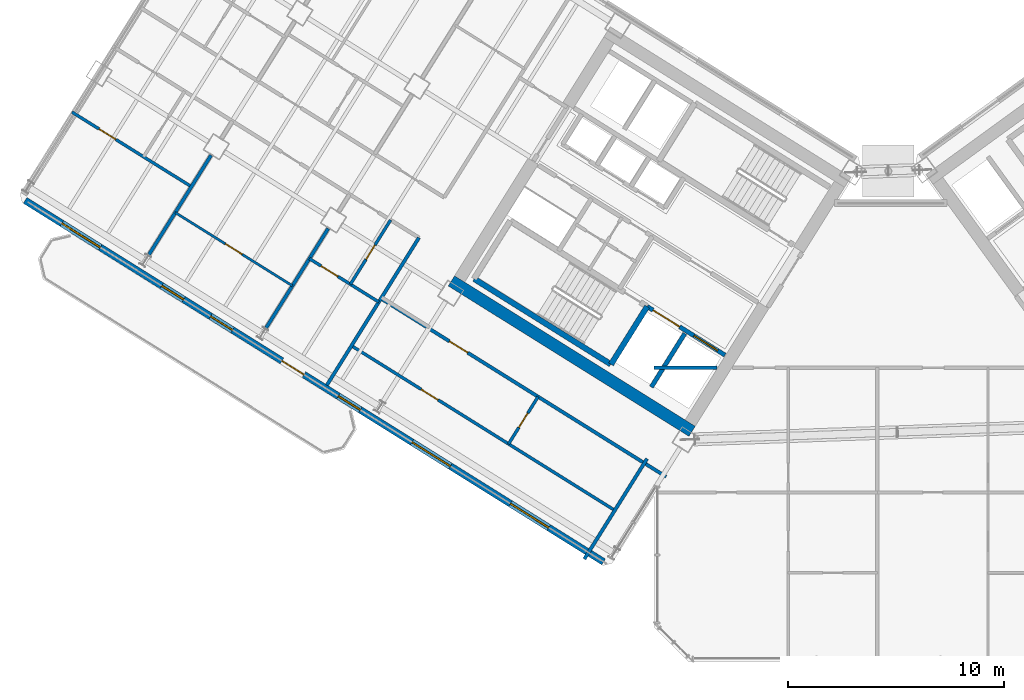
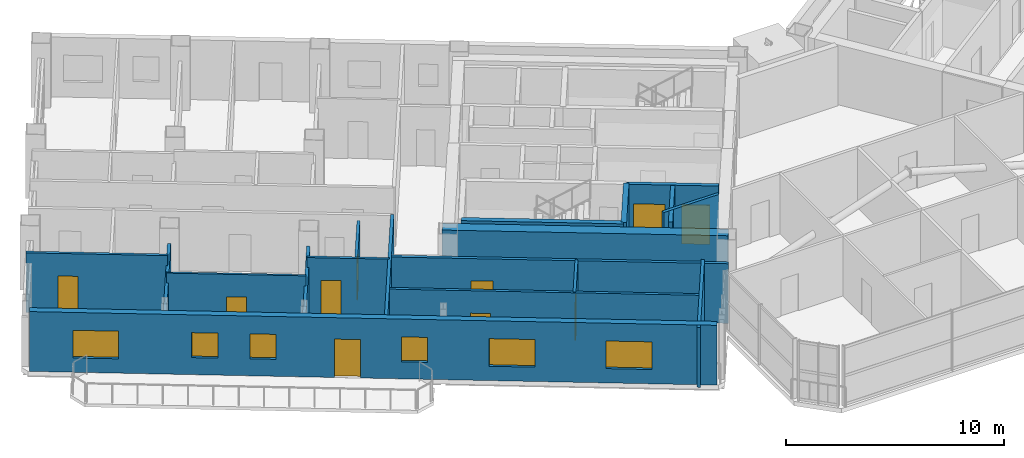
# One storey, part 16 of 29: 18 walls, 10 doors, 6 windows, 16 openings.
"""IFC4 building model written with IfcOpenShell, lengths in metres."""

import ifcopenshell
import ifcopenshell.guid

model = None  # the IFC model being written
_history = None  # IfcOwnerHistory: only IFC2X3 demands one
_inside = {}  # id of a spatial element -> (the spatial element, [elements in it])
_under = {}  # id of a project, library or spatial element -> (it, [spatial elements below it])
_declared = {}  # id of a project -> (the project, [libraries it declares])
_typed = {}  # id of a type object -> (the type object, [elements of that type])
_made_of = {}  # id of a material, layer set ... -> (it, [elements and type objects made of it])


def new_model(schema):
    """Start an empty IFC model of exactly this schema.

    Asked for "IFC4X3", IfcOpenShell would pick the latest addendum, in which some entities
    have other attributes; the version numbers below select the first issue.
    IFC2X3 requires an IfcOwnerHistory on every rooted entity: one is made here for all.
    """
    global model, _history
    if schema == "IFC4X3":
        model = ifcopenshell.file(schema_version=(4, 3, 0, 0))
    else:
        model = ifcopenshell.file(schema=schema)
    _inside.clear()
    _under.clear()
    _declared.clear()
    _typed.clear()
    _made_of.clear()
    _history = None
    if model.schema == "IFC2X3":
        org = make("IfcOrganization", Name="unknown")
        user = make(
            "IfcPersonAndOrganization",
            ThePerson=make("IfcPerson", FamilyName="unknown"),
            TheOrganization=org,
        )
        app = make(
            "IfcApplication",
            ApplicationDeveloper=org,
            Version="unknown",
            ApplicationFullName="unknown",
            ApplicationIdentifier="unknown",
        )
        _history = make(
            "IfcOwnerHistory",
            OwningUser=user,
            OwningApplication=app,
            ChangeAction="ADDED",
            CreationDate=0,
        )
    return model


def make(cls, **values):
    """One entity of the class cls with the attributes given. An attribute that is None is left unset."""
    return model.create_entity(
        cls, **{name: value for name, value in values.items() if value is not None}
    )


def rooted(cls, **values):
    """An entity with a GlobalId (a new one), such as an element, a storey or a relation."""
    return make(cls, GlobalId=ifcopenshell.guid.new(), OwnerHistory=_history, **values)


def si_unit(unit_type, name, prefix=None):
    """IfcSIUnit, for example si_unit("LENGTHUNIT", "METRE", prefix="MILLI")."""
    return make("IfcSIUnit", UnitType=unit_type, Prefix=prefix, Name=name)


def assignment(units):
    """IfcUnitAssignment: the units of a project."""
    return None if units is None else make("IfcUnitAssignment", Units=units)


def point(xyz):
    """IfcCartesianPoint."""
    return None if xyz is None else make("IfcCartesianPoint", Coordinates=xyz)


def direction(xyz):
    """IfcDirection."""
    return None if xyz is None else make("IfcDirection", DirectionRatios=xyz)


def frame(location, z_axis=None, x_axis=None):
    """IfcAxis2Placement3D, a coordinate frame: its origin and axes. An axis left out is left unset."""
    return make(
        "IfcAxis2Placement3D",
        Location=point(location),
        Axis=direction(z_axis),
        RefDirection=direction(x_axis),
    )


def frame_2d(location, x_axis=None):
    """IfcAxis2Placement2D, a coordinate frame in the plane: its origin and x axis."""
    return make(
        "IfcAxis2Placement2D", Location=point(location), RefDirection=direction(x_axis)
    )


def origin():
    """The frame at (0, 0, 0) with its axes left unset."""
    return frame((0.0, 0.0, 0.0))


def place(relative_to, where):
    """IfcLocalPlacement: puts the frame where relative to a parent placement (None: the world)."""
    return make(
        "IfcLocalPlacement", PlacementRelTo=relative_to, RelativePlacement=where
    )


def context(
    kind, dimensions, precision=None, world=None, true_north=None, identifier=None
):
    """IfcGeometricRepresentationContext, for example the 3D "Model" context."""
    return make(
        "IfcGeometricRepresentationContext",
        ContextIdentifier=identifier,
        ContextType=kind,
        CoordinateSpaceDimension=dimensions,
        Precision=precision,
        WorldCoordinateSystem=world,
        TrueNorth=true_north,
    )


def subcontext(parent, identifier, kind, view, scale=None):
    """IfcGeometricRepresentationSubContext, for example "Body" below "Model"."""
    return make(
        "IfcGeometricRepresentationSubContext",
        ContextIdentifier=identifier,
        ContextType=kind,
        ParentContext=parent,
        TargetScale=scale,
        TargetView=view,
    )


def project(units=None, contexts=None):
    """IfcProject with its units and contexts."""
    return rooted(
        "IfcProject",
        Name="project",
        RepresentationContexts=contexts,
        UnitsInContext=assignment(units),
    )


def spatial(cls, under=None, at=None, **own):
    """A site, building, storey or space (cls), placed at a placement, below another one or the project."""
    s = rooted(cls, ObjectPlacement=at, **own)
    if under is not None:
        _under.setdefault(under.id(), (under, []))[1].append(s)
    return s


def profile(cls, at=None, kind="AREA", **sizes):
    """A parametric profile (cls). Its sizes go by their IFC names, for example OverallWidth=200.0."""
    return make(cls, ProfileType=kind, Position=at, **sizes)


def rectangle(**sizes):
    """IfcRectangleProfileDef."""
    return profile("IfcRectangleProfileDef", **sizes)


def extrude(swept, where, along, depth):
    """IfcExtrudedAreaSolid: the profile swept, set in the frame where, extruded along a direction by depth."""
    return make(
        "IfcExtrudedAreaSolid",
        SweptArea=swept,
        Position=where,
        ExtrudedDirection=direction(along),
        Depth=depth,
    )


def shape(context_of_items, identifier, shape_type, items):
    """IfcShapeRepresentation: the items that make up one representation, for example the "Body"."""
    return make(
        "IfcShapeRepresentation",
        ContextOfItems=context_of_items,
        RepresentationIdentifier=identifier,
        RepresentationType=shape_type,
        Items=items,
    )


def source(mapping_origin, context_of_items, identifier, shape_type, items):
    """IfcRepresentationMap: a shape defined once, which mapped items show again and again."""
    return make(
        "IfcRepresentationMap",
        MappingOrigin=mapping_origin,
        MappedRepresentation=shape(context_of_items, identifier, shape_type, items),
    )


def transform(
    local_origin,
    x_axis=None,
    y_axis=None,
    z_axis=None,
    scale=None,
    scale2=None,
    scale3=None,
    uniform=True,
):
    """IfcCartesianTransformationOperator3D, or its non-uniform kind. x_axis, y_axis, z_axis: its Axis1, 2, 3."""
    if uniform:
        return make(
            "IfcCartesianTransformationOperator3D",
            Axis1=direction(x_axis),
            Axis2=direction(y_axis),
            LocalOrigin=point(local_origin),
            Scale=scale,
            Axis3=direction(z_axis),
        )
    return make(
        "IfcCartesianTransformationOperator3DnonUniform",
        Axis1=direction(x_axis),
        Axis2=direction(y_axis),
        LocalOrigin=point(local_origin),
        Scale=scale,
        Axis3=direction(z_axis),
        Scale2=scale2,
        Scale3=scale3,
    )


def mapped(mapping_source, mapping_target):
    """IfcMappedItem: shows the shape of a source again, moved by a transform."""
    return make(
        "IfcMappedItem", MappingSource=mapping_source, MappingTarget=mapping_target
    )


def material(Name=None, Category=None):
    """IfcMaterial."""
    return make("IfcMaterial", Name=Name, Category=Category)


def layer(
    of_material, thickness, ventilated=None, Name=None, Category=None, Priority=None
):
    """IfcMaterialLayer: one layer of a wall or slab, of a material (None: an air gap)."""
    return make(
        "IfcMaterialLayer",
        Material=of_material,
        LayerThickness=thickness,
        IsVentilated=ventilated,
        Name=Name,
        Category=Category,
        Priority=Priority,
    )


def layer_set(layers, Name=None):
    """IfcMaterialLayerSet."""
    return make("IfcMaterialLayerSet", MaterialLayers=layers, LayerSetName=Name)


def made_of(thing, what):
    """Note that an element or type object is made of a material, layer set ...; save() writes the relation."""
    if what is not None:
        _made_of.setdefault(what.id(), (what, []))[1].append(thing)
    return thing


def type_object(cls, material=None, **own):
    """A type object (cls), such as IfcWallType, which elements share."""
    return made_of(rooted(cls, **own), material)


def element(
    cls,
    number,
    at=None,
    inside=None,
    cuts=None,
    type_object=None,
    material=None,
    context=None,
    identifier="Body",
    shape_type=None,
    held_by="IfcProductDefinitionShape",
    body=None,
    shapes=None,
    **own,
):
    """One element of the class cls, such as IfcWall. Its Tag is "e" and its number.

    at: its placement. inside: the storey or other place that contains it. cuts: it is an
    opening in that element (IfcRelVoidsElement). A single representation is given by context,
    identifier, shape_type and body (its items); several are given by shapes. held_by: the class
    of the entity that holds the representations. save() writes the other relations.
    """
    e = rooted(cls, Tag="e%d" % number, ObjectPlacement=at, **own)
    if body is not None:
        shapes = [shape(context, identifier, shape_type, body)]
    if shapes is not None:
        e.Representation = make(held_by, Representations=shapes)
    if inside is not None:
        _inside.setdefault(inside.id(), (inside, []))[1].append(e)
    if cuts is not None:
        rooted(
            "IfcRelVoidsElement", RelatingBuildingElement=cuts, RelatedOpeningElement=e
        )
    if type_object is not None:
        _typed.setdefault(type_object.id(), (type_object, []))[1].append(e)
    return made_of(e, material)


def fill(opening, filler):
    """IfcRelFillsElement: the door or window that sits in an opening."""
    return rooted(
        "IfcRelFillsElement",
        RelatingOpeningElement=opening,
        RelatedBuildingElement=filler,
    )


def aggregate(whole, parts):
    """IfcRelAggregates: a whole, such as a stair, and the parts it consists of."""
    return rooted("IfcRelAggregates", RelatingObject=whole, RelatedObjects=parts)


def save(model, path):
    """Write the relations noted so far, then the file.

    IfcRelAggregates (storeys below a building ...), IfcRelContainedInSpatialStructure (elements
    in a storey), IfcRelDefinesByType, IfcRelAssociatesMaterial and IfcRelDeclares: one each for
    every whole, place, type object, material and project.
    """
    for whole, parts in _under.values():
        aggregate(whole, parts)
    for where, things in _inside.values():
        rooted(
            "IfcRelContainedInSpatialStructure",
            RelatedElements=things,
            RelatingStructure=where,
        )
    for kind, things in _typed.values():
        rooted("IfcRelDefinesByType", RelatedObjects=things, RelatingType=kind)
    for what, things in _made_of.values():
        rooted("IfcRelAssociatesMaterial", RelatedObjects=things, RelatingMaterial=what)
    for by, libraries in _declared.values():
        rooted("IfcRelDeclares", RelatingContext=by, RelatedDefinitions=libraries)
    model.write(path)


model = new_model("IFC4")

# Units and contexts
model_context = context("Model", 3, precision=1e-05, world=origin(), true_north=direction((0.0, 1.0)))
body_context = subcontext(model_context, "Body", "Model", "MODEL_VIEW")
ifc_project = project(units=[si_unit("LENGTHUNIT", "METRE"), si_unit("AREAUNIT", "SQUARE_METRE"), si_unit("VOLUMEUNIT", "CUBIC_METRE"), si_unit("PLANEANGLEUNIT", "RADIAN"), si_unit("MASSUNIT", "GRAM", prefix="KILO")], contexts=[model_context])

# Site, building, storey
site_placement = place(None, origin())
site = spatial("IfcSite", under=ifc_project, at=site_placement, CompositionType="ELEMENT")
building_placement = place(site_placement, origin())
building = spatial("IfcBuilding", under=site, at=building_placement, Name="Tlacorven Tower", CompositionType="ELEMENT")
storey_placement = place(building_placement, frame((0.0, 0.0, 151.5)))
storey = spatial("IfcBuildingStorey", under=building, at=storey_placement, Name="L38", CompositionType="ELEMENT", Elevation=151.5)

# Walls
ifc_material_1 = material(Name="Concrete C60/75", Category="concrete")
ifc_layer_1 = layer(ifc_material_1, 0.550048828125)
ifc_layer_set_1 = layer_set([ifc_layer_1], Name="Concrete C60/75")
wall_type_1 = type_object("IfcWallType", Name="WL-COR-550", PredefinedType="SHEAR", material=ifc_layer_set_1)
wall_1_placement = place(storey_placement, frame((33.3662109375, 12.4765625, 0.0), z_axis=(0.0, 0.0, 1.0), x_axis=(-0.848047359947, 0.529920442413, 0.0)))
element("IfcWall", 1, at=wall_1_placement, inside=storey, type_object=wall_type_1, Name="L38 W core shear wall S2", PredefinedType="SHEAR", context=body_context, shape_type="SweptSolid", body=[
    extrude(rectangle(XDim=13.139892578125, YDim=0.550048828125, at=frame_2d((6.56982421875, 0.0))), origin(), (0.0, 0.0, 1.0), 3.35009765625),
])
ifc_material_2 = material(Name="Gypsum plasterboard acoustic partition", Category="gypsum")
ifc_layer_2 = layer(ifc_material_2, 0.159912109375)
ifc_layer_set_2 = layer_set([ifc_layer_2], Name="Gypsum plasterboard acoustic partition")
wall_type_2 = type_object("IfcWallType", Name="WL-DEM-160", PredefinedType="PARTITIONING", material=ifc_layer_set_2)
wall_2_placement = place(storey_placement, frame((20.719482421875, 21.440185546875, 0.0), z_axis=(0.0, 0.0, 1.0), x_axis=(-0.529906246318, -0.848056230514, 0.0)))
element("IfcWall", 2, at=wall_2_placement, inside=storey, type_object=wall_type_2, Name="L38 partition 48", PredefinedType="PARTITIONING", context=body_context, shape_type="SweptSolid", body=[
    extrude(rectangle(XDim=8.0498046875, YDim=0.159912109375, at=frame_2d((4.02490234375, 0.0))), origin(), (0.0, 0.0, 1.0), 3.340087890625),
])
wall_3_placement = place(storey_placement, frame((16.518798828125, 21.86962890625, 0.0), z_axis=(0.0, 0.0, 1.0), x_axis=(-0.529922447305, -0.848046107144, 0.0)))
element("IfcWall", 3, at=wall_3_placement, inside=storey, type_object=wall_type_2, Name="L38 WN Demising Wall 1", PredefinedType="PARTITIONING", context=body_context, shape_type="SweptSolid", body=[
    extrude(rectangle(XDim=5.451171875, YDim=0.159912109375, at=frame_2d((2.7255859375, 0.0))), origin(), (0.0, 0.0, 1.0), 2.77490234375),
])
wall_4_placement = place(storey_placement, frame((11.09130859375, 25.260986328125, 0.0), z_axis=(0.0, 0.0, 1.0), x_axis=(-0.52994257524, -0.848033529377, 0.0)))
element("IfcWall", 4, at=wall_4_placement, inside=storey, type_object=wall_type_2, Name="L38 WN Demising Wall 2", PredefinedType="PARTITIONING", context=body_context, shape_type="SweptSolid", body=[
    extrude(rectangle(XDim=5.450927734375, YDim=0.159912109375, at=frame_2d((2.7255859375, 0.0))), origin(), (0.0, 0.0, 1.0), 2.77490234375),
])

# Wall, opening, door
wall_5_placement = place(storey_placement, frame((32.164306640625, 10.373779296875, 0.0), z_axis=(0.0, 0.0, 1.0), x_axis=(-0.848044107957, 0.529925646633, 0.0)))
wall_5 = element("IfcWall", 5, at=wall_5_placement, inside=storey, type_object=wall_type_2, Name="L38 partition 69", PredefinedType="PARTITIONING", context=body_context, shape_type="SweptSolid", body=[
    extrude(rectangle(XDim=15.570068359375, YDim=0.159912109375, at=frame_2d((7.78515625, 0.0))), origin(), (0.0, 0.0, 1.0), 3.340087890625),
])
opening_1_placement = place(wall_5_placement, frame((10.830078125, 0.0, 0.0)))
opening_1 = element("IfcOpeningElement", 6, at=opening_1_placement, cuts=wall_5, Name="Opening D11", PredefinedType="OPENING", context=body_context, shape_type="SweptSolid", body=[
    extrude(rectangle(XDim=1.0, YDim=2.10009765625, at=frame_2d((0.5, 1.050048828125))), frame((0.0, 0.08984375, 0.0), z_axis=(0.0, -1.0, 0.0), x_axis=(1.0, 0.0, 0.0)), (0.0, 0.0, 1.0), 0.179931640625),
])
ifc_material_3 = material(Name="Fire-rated steel door assembly", Category="steel")
door_type_1 = type_object("IfcDoorType", Name="DR-FLT-FD60-1000", OperationType="NOTDEFINED", PredefinedType="DOOR", material=ifc_material_3)
shared_shape_1 = source(origin(), body_context, "Body", "SweptSolid", [
    extrude(rectangle(XDim=1.0, YDim=2.10009765625, at=frame_2d((0.5, 1.050048828125))), frame((0.0, 0.02490234375, 0.0), z_axis=(0.0, -1.0, 0.0), x_axis=(1.0, 0.0, 0.0)), (0.0, 0.0, 1.0), 0.050048828125),
])
door_1_placement = place(opening_1_placement, origin())
door_1 = element("IfcDoor", 7, at=door_1_placement, inside=storey, type_object=door_type_1, Name="L38 door 043", OperationType="SINGLE_SWING_RIGHT", OverallHeight=2.10009765625, OverallWidth=1.0, PredefinedType="DOOR", context=body_context, shape_type="MappedRepresentation", body=[
    mapped(shared_shape_1, transform((0.0, 0.0, 0.0), scale=1.0)),
])
fill(opening_1, door_1)

# Walls
wall_6_placement = place(storey_placement, frame((31.282470703125, 11.2080078125, 0.0), z_axis=(0.0, 0.0, 1.0), x_axis=(-0.529938869374, -0.84803584519, 0.0)))
element("IfcWall", 8, at=wall_6_placement, inside=storey, type_object=wall_type_2, Name="L38 WC West Throat Wall", PredefinedType="PARTITIONING", context=body_context, shape_type="SweptSolid", body=[
    extrude(rectangle(XDim=5.47998046875, YDim=0.159912109375, at=frame_2d((2.739990234375, 0.0))), origin(), (0.0, 0.0, 1.0), 3.340087890625),
])
wall_7_placement = place(storey_placement, frame((31.60009765625, 15.419921875, 0.0), z_axis=(0.0, 0.0, 1.0), x_axis=(1.0, 0.0, 0.0)))
element("IfcWall", 9, at=wall_7_placement, inside=storey, type_object=wall_type_2, Name="L38 Knuckle Corridor South Wall", PredefinedType="PARTITIONING", context=body_context, shape_type="SweptSolid", body=[
    extrude(rectangle(XDim=2.925048828125, YDim=0.159912109375, at=frame_2d((1.46240234375, 0.0))), origin(), (0.0, 0.0, 1.0), 3.340087890625),
])

# Wall, openings, door, windows
ifc_material_4 = material(Name="Precast concrete C45/55", Category="concrete")
ifc_layer_3 = layer(ifc_material_4, 0.320068359375)
ifc_layer_set_3 = layer_set([ifc_layer_3], Name="Precast concrete C45/55")
wall_type_3 = type_object("IfcWallType", Name="WL-EXT-320", PredefinedType="STANDARD", material=ifc_layer_set_3)
wall_8_placement = place(storey_placement, frame((29.267822265625, 6.429443359375, 0.0), z_axis=(0.0, 0.0, 1.0), x_axis=(-0.848049971435, 0.529916263149, 0.0)))
wall_8 = element("IfcWall", 10, at=wall_8_placement, inside=storey, type_object=wall_type_3, Name="L38 Masonry-Frame Recessed Facade Wall 1", PredefinedType="STANDARD", context=body_context, shape_type="SweptSolid", body=[
    extrude(rectangle(XDim=31.587646484375, YDim=0.320068359375, at=frame_2d((15.7939453125, 0.0))), origin(), (0.0, 0.0, 1.0), 3.35009765625),
])
opening_2_placement = place(wall_8_placement, frame((16.36181640625, 0.0, 0.0)))
opening_2 = element("IfcOpeningElement", 11, at=opening_2_placement, cuts=wall_8, Name="Opening D05", PredefinedType="OPENING", context=body_context, shape_type="SweptSolid", body=[
    extrude(rectangle(XDim=1.199951171875, YDim=2.14990234375, at=frame_2d((0.60009765625, 1.074951171875))), frame((0.0, 0.169921875, 0.0), z_axis=(0.0, -1.0, 0.0), x_axis=(1.0, 0.0, 0.0)), (0.0, 0.0, 1.0), 0.340087890625),
])
opening_3_placement = place(wall_8_placement, frame((2.98876953125, 0.0, 0.800048828125)))
opening_3 = element("IfcOpeningElement", 12, at=opening_3_placement, cuts=wall_8, Name="Opening WN04", PredefinedType="OPENING", context=body_context, shape_type="SweptSolid", body=[
    extrude(rectangle(XDim=2.10009765625, YDim=1.550048828125, at=frame_2d((1.050048828125, 0.77490234375))), frame((0.0, 0.169921875, 0.0), z_axis=(0.0, -1.0, 0.0), x_axis=(1.0, 0.0, 0.0)), (0.0, 0.0, 1.0), 0.340087890625),
])
opening_4_placement = place(wall_8_placement, frame((8.358642578125, 0.0, 0.800048828125)))
opening_4 = element("IfcOpeningElement", 13, at=opening_4_placement, cuts=wall_8, Name="Opening WN04", PredefinedType="OPENING", context=body_context, shape_type="SweptSolid", body=[
    extrude(rectangle(XDim=2.10009765625, YDim=1.550048828125, at=frame_2d((1.050048828125, 0.77490234375))), frame((0.0, 0.169921875, 0.0), z_axis=(0.0, -1.0, 0.0), x_axis=(1.0, 0.0, 0.0)), (0.0, 0.0, 1.0), 0.340087890625),
])
opening_5_placement = place(wall_8_placement, frame((13.28369140625, 0.0, 0.949951171875)))
opening_5 = element("IfcOpeningElement", 14, at=opening_5_placement, cuts=wall_8, Name="Opening WN03", PredefinedType="OPENING", context=body_context, shape_type="SweptSolid", body=[
    extrude(rectangle(XDim=1.199951171875, YDim=1.39990234375, at=frame_2d((0.60009765625, 0.699951171875))), frame((0.0, 0.169921875, 0.0), z_axis=(0.0, -1.0, 0.0), x_axis=(1.0, 0.0, 0.0)), (0.0, 0.0, 1.0), 0.340087890625),
])
opening_6_placement = place(wall_8_placement, frame((20.2587890625, 0.0, 0.949951171875)))
opening_6 = element("IfcOpeningElement", 15, at=opening_6_placement, cuts=wall_8, Name="Opening WN03", PredefinedType="OPENING", context=body_context, shape_type="SweptSolid", body=[
    extrude(rectangle(XDim=1.199951171875, YDim=1.39990234375, at=frame_2d((0.60009765625, 0.699951171875))), frame((0.0, 0.169921875, 0.0), z_axis=(0.0, -1.0, 0.0), x_axis=(1.0, 0.0, 0.0)), (0.0, 0.0, 1.0), 0.340087890625),
])
opening_7_placement = place(wall_8_placement, frame((22.9287109375, 0.0, 0.949951171875)))
opening_7 = element("IfcOpeningElement", 16, at=opening_7_placement, cuts=wall_8, Name="Opening WN03", PredefinedType="OPENING", context=body_context, shape_type="SweptSolid", body=[
    extrude(rectangle(XDim=1.199951171875, YDim=1.39990234375, at=frame_2d((0.60009765625, 0.699951171875))), frame((0.0, 0.169921875, 0.0), z_axis=(0.0, -1.0, 0.0), x_axis=(1.0, 0.0, 0.0)), (0.0, 0.0, 1.0), 0.340087890625),
])
opening_8_placement = place(wall_8_placement, frame((27.480712890625, 0.0, 0.800048828125)))
opening_8 = element("IfcOpeningElement", 17, at=opening_8_placement, cuts=wall_8, Name="Opening WN04", PredefinedType="OPENING", context=body_context, shape_type="SweptSolid", body=[
    extrude(rectangle(XDim=2.10009765625, YDim=1.550048828125, at=frame_2d((1.050048828125, 0.77490234375))), frame((0.0, 0.169921875, 0.0), z_axis=(0.0, -1.0, 0.0), x_axis=(1.0, 0.0, 0.0)), (0.0, 0.0, 1.0), 0.340087890625),
])
ifc_material_5 = material(Name="Powder-coated aluminium and timber door", Category="wood")
door_type_2 = type_object("IfcDoorType", Name="DR-EXT-BALC-1200", OperationType="NOTDEFINED", PredefinedType="DOOR", material=ifc_material_5)
shared_shape_2 = source(origin(), body_context, "Body", "SweptSolid", [
    extrude(rectangle(XDim=1.199951171875, YDim=2.14990234375, at=frame_2d((0.60009765625, 1.074951171875))), frame((0.0, 0.02490234375, 0.0), z_axis=(0.0, -1.0, 0.0), x_axis=(1.0, 0.0, 0.0)), (0.0, 0.0, 1.0), 0.050048828125),
])
door_2_placement = place(opening_2_placement, origin())
door_2 = element("IfcDoor", 18, at=door_2_placement, inside=storey, type_object=door_type_2, Name="L38 Outdoor Access Door BAL-L38-W-OUT", OperationType="SINGLE_SWING_LEFT", OverallHeight=2.14990234375, OverallWidth=1.199951171875, PredefinedType="DOOR", context=body_context, shape_type="MappedRepresentation", body=[
    mapped(shared_shape_2, transform((0.0, 0.0, 0.0), scale=1.0)),
])
fill(opening_2, door_2)
ifc_material_6 = material(Name="Dark solar low-E double glazing in anodised aluminium frame", Category="aluminium")
window_type_1 = type_object("IfcWindowType", Name="WN-APT-2100X1750", PartitioningType="SINGLE_PANEL", PredefinedType="WINDOW", material=ifc_material_6)
shared_shape_3 = source(origin(), body_context, "Body", "SweptSolid", [
    extrude(rectangle(XDim=2.10009765625, YDim=1.550048828125, at=frame_2d((1.050048828125, 0.77490234375))), frame((0.0, 0.030029296875, 0.0), z_axis=(0.0, -1.0, 0.0), x_axis=(1.0, 0.0, 0.0)), (0.0, 0.0, 1.0), 0.06005859375),
])
window_1_placement = place(opening_3_placement, origin())
window_1 = element("IfcWindow", 19, at=window_1_placement, inside=storey, type_object=window_type_1, Name="L38 Recessed Masonry-Frame Window L38-01.1", OverallHeight=1.550048828125, OverallWidth=2.10009765625, PartitioningType="SINGLE_PANEL", PredefinedType="WINDOW", context=body_context, shape_type="MappedRepresentation", body=[
    mapped(shared_shape_3, transform((0.0, 0.0, 0.0), scale=1.0)),
])
fill(opening_3, window_1)
window_2_placement = place(opening_4_placement, origin())
window_2 = element("IfcWindow", 20, at=window_2_placement, inside=storey, type_object=window_type_1, Name="L38 Recessed Masonry-Frame Window L38-01.2", OverallHeight=1.550048828125, OverallWidth=2.10009765625, PartitioningType="SINGLE_PANEL", PredefinedType="WINDOW", context=body_context, shape_type="MappedRepresentation", body=[
    mapped(shared_shape_3, transform((0.0, 0.0, 0.0), scale=1.0)),
])
fill(opening_4, window_2)
window_3_placement = place(opening_8_placement, origin())
window_3 = element("IfcWindow", 21, at=window_3_placement, inside=storey, type_object=window_type_1, Name="L38 Recessed Masonry-Frame Window L38-01.6", OverallHeight=1.550048828125, OverallWidth=2.10009765625, PartitioningType="SINGLE_PANEL", PredefinedType="WINDOW", context=body_context, shape_type="MappedRepresentation", body=[
    mapped(shared_shape_3, transform((0.0, 0.0, 0.0), scale=1.0)),
])
fill(opening_8, window_3)
window_type_2 = type_object("IfcWindowType", Name="WN-APT-1200X1500", PartitioningType="SINGLE_PANEL", PredefinedType="WINDOW", material=ifc_material_6)
shared_shape_4 = source(origin(), body_context, "Body", "SweptSolid", [
    extrude(rectangle(XDim=1.199951171875, YDim=1.39990234375, at=frame_2d((0.60009765625, 0.699951171875))), frame((0.0, 0.030029296875, 0.0), z_axis=(0.0, -1.0, 0.0), x_axis=(1.0, 0.0, 0.0)), (0.0, 0.0, 1.0), 0.06005859375),
])
window_4_placement = place(opening_5_placement, origin())
window_4 = element("IfcWindow", 22, at=window_4_placement, inside=storey, type_object=window_type_2, Name="L38 Recessed Masonry-Frame Window L38-01.3", OverallHeight=1.39990234375, OverallWidth=1.199951171875, PartitioningType="SINGLE_PANEL", PredefinedType="WINDOW", context=body_context, shape_type="MappedRepresentation", body=[
    mapped(shared_shape_4, transform((0.0, 0.0, 0.0), scale=1.0)),
])
fill(opening_5, window_4)
window_5_placement = place(opening_6_placement, origin())
window_5 = element("IfcWindow", 23, at=window_5_placement, inside=storey, type_object=window_type_2, Name="L38 Recessed Masonry-Frame Window L38-01.4", OverallHeight=1.39990234375, OverallWidth=1.199951171875, PartitioningType="SINGLE_PANEL", PredefinedType="WINDOW", context=body_context, shape_type="MappedRepresentation", body=[
    mapped(shared_shape_4, transform((0.0, 0.0, 0.0), scale=1.0)),
])
fill(opening_6, window_5)
window_6_placement = place(opening_7_placement, origin())
window_6 = element("IfcWindow", 24, at=window_6_placement, inside=storey, type_object=window_type_2, Name="L38 Recessed Masonry-Frame Window L38-01.5", OverallHeight=1.39990234375, OverallWidth=1.199951171875, PartitioningType="SINGLE_PANEL", PredefinedType="WINDOW", context=body_context, shape_type="MappedRepresentation", body=[
    mapped(shared_shape_4, transform((0.0, 0.0, 0.0), scale=1.0)),
])
fill(opening_7, window_6)

# Wall, opening, door
ifc_material_7 = material(Name="Gypsum plasterboard partition", Category="gypsum")
ifc_layer_4 = layer(ifc_material_7, 0.110107421875)
ifc_layer_set_4 = layer_set([ifc_layer_4], Name="Gypsum plasterboard partition")
wall_type_4 = type_object("IfcWallType", Name="WL-INT-110", PredefinedType="PARTITIONING", material=ifc_layer_set_4)
wall_9_placement = place(storey_placement, frame((14.860107421875, 19.215087890625, 0.0), z_axis=(0.0, 0.0, 1.0), x_axis=(-0.848039019877, 0.529933789039, 0.0)))
wall_9 = element("IfcWall", 25, at=wall_9_placement, inside=storey, type_object=wall_type_4, Name="L38 partition 56", PredefinedType="PARTITIONING", context=body_context, shape_type="SweptSolid", body=[
    extrude(rectangle(XDim=6.400146484375, YDim=0.110107421875, at=frame_2d((3.2001953125, 0.0))), origin(), (0.0, 0.0, 1.0), 3.340087890625),
])
opening_9_placement = place(wall_9_placement, frame((2.739990234375, 0.0, 0.0)))
opening_9 = element("IfcOpeningElement", 26, at=opening_9_placement, cuts=wall_9, Name="Opening D12", PredefinedType="OPENING", context=body_context, shape_type="SweptSolid", body=[
    extrude(rectangle(XDim=0.919921875, YDim=2.080078125, at=frame_2d((0.4599609375, 1.0400390625))), frame((0.0, 0.06494140625, 0.0), z_axis=(0.0, -1.0, 0.0), x_axis=(1.0, 0.0, 0.0)), (0.0, 0.0, 1.0), 0.130126953125),
])
door_type_3 = type_object("IfcDoorType", Name="DR-INT-ROOM-0920", OperationType="NOTDEFINED", PredefinedType="DOOR", material=ifc_material_5)
shared_shape_5 = source(origin(), body_context, "Body", "SweptSolid", [
    extrude(rectangle(XDim=0.919921875, YDim=2.080078125, at=frame_2d((0.4599609375, 1.0400390625))), frame((0.0, 0.02490234375, 0.0), z_axis=(0.0, -1.0, 0.0), x_axis=(1.0, 0.0, 0.0)), (0.0, 0.0, 1.0), 0.050048828125),
])
door_3_placement = place(opening_9_placement, origin())
door_3 = element("IfcDoor", 27, at=door_3_placement, inside=storey, type_object=door_type_3, Name="L38 door 028", OperationType="SINGLE_SWING_LEFT", OverallHeight=2.080078125, OverallWidth=0.919921875, PredefinedType="DOOR", context=body_context, shape_type="MappedRepresentation", body=[
    mapped(shared_shape_5, transform((0.0, 0.0, 0.0), scale=1.0)),
])
fill(opening_9, door_3)

ifc_material_8 = material(Name="Moisture-resistant gypsum plumbing wall", Category="gypsum")
ifc_layer_5 = layer(ifc_material_8, 0.139892578125)
ifc_layer_set_5 = layer_set([ifc_layer_5], Name="Moisture-resistant gypsum plumbing wall")
wall_type_5 = type_object("IfcWallType", Name="WL-PLM-140", PredefinedType="PLUMBINGWALL", material=ifc_layer_set_5)
wall_10_placement = place(storey_placement, frame((18.859619140625, 18.463623046875, 0.0), z_axis=(0.0, 0.0, 1.0), x_axis=(-0.848059820872, 0.529900500304, 0.0)))
wall_10 = element("IfcWall", 28, at=wall_10_placement, inside=storey, type_object=wall_type_5, Name="L38 partition 53", PredefinedType="PLUMBINGWALL", context=body_context, shape_type="SweptSolid", body=[
    extrude(rectangle(XDim=3.7900390625, YDim=0.139892578125, at=frame_2d((1.89501953125, 0.0))), origin(), (0.0, 0.0, 1.0), 3.340087890625),
])
opening_10_placement = place(wall_10_placement, frame((2.22998046875, 0.0, 0.0)))
opening_10 = element("IfcOpeningElement", 29, at=opening_10_placement, cuts=wall_10, Name="Opening D12", PredefinedType="OPENING", context=body_context, shape_type="SweptSolid", body=[
    extrude(rectangle(XDim=0.919921875, YDim=2.080078125, at=frame_2d((0.4599609375, 1.0400390625))), frame((0.0, 0.080078125, 0.0), z_axis=(0.0, -1.0, 0.0), x_axis=(1.0, 0.0, 0.0)), (0.0, 0.0, 1.0), 0.159912109375),
])
door_4_placement = place(opening_10_placement, origin())
door_4 = element("IfcDoor", 30, at=door_4_placement, inside=storey, type_object=door_type_3, Name="L38 door 025", OperationType="SINGLE_SWING_RIGHT", OverallHeight=2.080078125, OverallWidth=0.919921875, PredefinedType="DOOR", context=body_context, shape_type="MappedRepresentation", body=[
    mapped(shared_shape_5, transform((0.0, 0.0, 0.0), scale=1.0)),
])
fill(opening_10, door_4)

wall_11_placement = place(storey_placement, frame((19.405029296875, 22.261474609375, 0.0), z_axis=(0.0, 0.0, 1.0), x_axis=(-0.529898896701, -0.848060822863, 0.0)))
wall_11 = element("IfcWall", 31, at=wall_11_placement, inside=storey, type_object=wall_type_5, Name="L38 partition 54", PredefinedType="PLUMBINGWALL", context=body_context, shape_type="SweptSolid", body=[
    extrude(rectangle(XDim=3.509765625, YDim=0.139892578125, at=frame_2d((1.7548828125, 0.0))), origin(), (0.0, 0.0, 1.0), 2.9951171875),
])
opening_11_placement = place(wall_11_placement, frame((1.364990234375, 0.0, 0.0)))
opening_11 = element("IfcOpeningElement", 32, at=opening_11_placement, cuts=wall_11, Name="Opening D22", PredefinedType="OPENING", context=body_context, shape_type="SweptSolid", body=[
    extrude(rectangle(XDim=0.780029296875, YDim=2.050048828125, at=frame_2d((0.39013671875, 1.02490234375))), frame((0.0, 0.080078125, 0.0), z_axis=(0.0, -1.0, 0.0), x_axis=(1.0, 0.0, 0.0)), (0.0, 0.0, 1.0), 0.159912109375),
])
door_type_4 = type_object("IfcDoorType", Name="DR-INT-WET-0780", OperationType="NOTDEFINED", PredefinedType="DOOR", material=ifc_material_5)
shared_shape_6 = source(origin(), body_context, "Body", "SweptSolid", [
    extrude(rectangle(XDim=0.780029296875, YDim=2.050048828125, at=frame_2d((0.39013671875, 1.02490234375))), frame((0.0, 0.02490234375, 0.0), z_axis=(0.0, -1.0, 0.0), x_axis=(1.0, 0.0, 0.0)), (0.0, 0.0, 1.0), 0.050048828125),
])
door_5_placement = place(opening_11_placement, origin())
door_5 = element("IfcDoor", 33, at=door_5_placement, inside=storey, type_object=door_type_4, Name="L38 door 026", OperationType="SINGLE_SWING_LEFT", OverallHeight=2.050048828125, OverallWidth=0.780029296875, PredefinedType="DOOR", context=body_context, shape_type="MappedRepresentation", body=[
    mapped(shared_shape_6, transform((0.0, 0.0, 0.0), scale=1.0)),
])
fill(opening_11, door_5)

wall_12_placement = place(storey_placement, frame((10.180908203125, 23.80419921875, 0.0), z_axis=(0.0, 0.0, 1.0), x_axis=(-0.848065614912, 0.529891227332, 0.0)))
wall_12 = element("IfcWall", 34, at=wall_12_placement, inside=storey, type_object=wall_type_5, Name="L38 partition 57", PredefinedType="PLUMBINGWALL", context=body_context, shape_type="SweptSolid", body=[
    extrude(rectangle(XDim=6.519775390625, YDim=0.139892578125, at=frame_2d((3.259765625, 0.0))), origin(), (0.0, 0.0, 1.0), 3.340087890625),
])
opening_12_placement = place(wall_12_placement, frame((4.1240234375, 0.0, 0.0)))
opening_12 = element("IfcOpeningElement", 35, at=opening_12_placement, cuts=wall_12, Name="Opening D12", PredefinedType="OPENING", context=body_context, shape_type="SweptSolid", body=[
    extrude(rectangle(XDim=0.919921875, YDim=2.080078125, at=frame_2d((0.4599609375, 1.0400390625))), frame((0.0, 0.080078125, 0.0), z_axis=(0.0, -1.0, 0.0), x_axis=(1.0, 0.0, 0.0)), (0.0, 0.0, 1.0), 0.159912109375),
])
door_6_placement = place(opening_12_placement, origin())
door_6 = element("IfcDoor", 36, at=door_6_placement, inside=storey, type_object=door_type_3, Name="L38 door 030", OperationType="SINGLE_SWING_LEFT", OverallHeight=2.080078125, OverallWidth=0.919921875, PredefinedType="DOOR", context=body_context, shape_type="MappedRepresentation", body=[
    mapped(shared_shape_5, transform((0.0, 0.0, 0.0), scale=1.0)),
])
fill(opening_12, door_6)

wall_13_placement = place(storey_placement, frame((29.72021484375, 8.85888671875, 0.0), z_axis=(0.0, 0.0, 1.0), x_axis=(-0.848049134363, 0.529917602752, 0.0)))
wall_13 = element("IfcWall", 37, at=wall_13_placement, inside=storey, type_object=wall_type_5, Name="L38 partition 71", PredefinedType="PLUMBINGWALL", context=body_context, shape_type="SweptSolid", body=[
    extrude(rectangle(XDim=14.300048828125, YDim=0.139892578125, at=frame_2d((7.14990234375, 0.0))), origin(), (0.0, 0.0, 1.0), 3.340087890625),
])
opening_13_placement = place(wall_13_placement, frame((9.570068359375, 0.0, 0.0)))
opening_13 = element("IfcOpeningElement", 38, at=opening_13_placement, cuts=wall_13, Name="Opening D12", PredefinedType="OPENING", context=body_context, shape_type="SweptSolid", body=[
    extrude(rectangle(XDim=0.919921875, YDim=2.080078125, at=frame_2d((0.4599609375, 1.0400390625))), frame((0.0, 0.080078125, 0.0), z_axis=(0.0, -1.0, 0.0), x_axis=(1.0, 0.0, 0.0)), (0.0, 0.0, 1.0), 0.159912109375),
])
door_7_placement = place(opening_13_placement, origin())
door_7 = element("IfcDoor", 39, at=door_7_placement, inside=storey, type_object=door_type_3, Name="L38 door 044", OperationType="SINGLE_SWING_LEFT", OverallHeight=2.080078125, OverallWidth=0.919921875, PredefinedType="DOOR", context=body_context, shape_type="MappedRepresentation", body=[
    mapped(shared_shape_5, transform((0.0, 0.0, 0.0), scale=1.0)),
])
fill(opening_13, door_7)

wall_14_placement = place(storey_placement, frame((26.236572265625, 14.077880859375, 0.0), z_axis=(0.0, 0.0, 1.0), x_axis=(-0.52995640672, -0.848024885824, 0.0)))
wall_14 = element("IfcWall", 40, at=wall_14_placement, inside=storey, type_object=wall_type_5, Name="L38 partition 72", PredefinedType="PLUMBINGWALL", context=body_context, shape_type="SweptSolid", body=[
    extrude(rectangle(XDim=2.579833984375, YDim=0.139892578125, at=frame_2d((1.2900390625, 0.0))), origin(), (0.0, 0.0, 1.0), 3.340087890625),
])
opening_14_placement = place(wall_14_placement, frame((0.89990234375, 0.0, 0.0)))
opening_14 = element("IfcOpeningElement", 41, at=opening_14_placement, cuts=wall_14, Name="Opening D22", PredefinedType="OPENING", context=body_context, shape_type="SweptSolid", body=[
    extrude(rectangle(XDim=0.780029296875, YDim=2.050048828125, at=frame_2d((0.39013671875, 1.02490234375))), frame((0.0, 0.080078125, 0.0), z_axis=(0.0, -1.0, 0.0), x_axis=(1.0, 0.0, 0.0)), (0.0, 0.0, 1.0), 0.159912109375),
])
door_8_placement = place(opening_14_placement, origin())
door_8 = element("IfcDoor", 42, at=door_8_placement, inside=storey, type_object=door_type_4, Name="L38 door 045", OperationType="SINGLE_SWING_RIGHT", OverallHeight=2.050048828125, OverallWidth=0.780029296875, PredefinedType="DOOR", context=body_context, shape_type="MappedRepresentation", body=[
    mapped(shared_shape_6, transform((0.0, 0.0, 0.0), scale=1.0)),
])
fill(opening_14, door_8)

# Wall, openings, doors
ifc_material_9 = material(Name="Concrete C40/50", Category="concrete")
ifc_layer_6 = layer(ifc_material_9, 0.199951171875)
ifc_layer_set_6 = layer_set([ifc_layer_6], Name="Concrete C40/50")
wall_type_6 = type_object("IfcWallType", Name="WL-SHF-200", PredefinedType="STANDARD", material=ifc_layer_set_6)
wall_15_placement = place(storey_placement, frame((34.890625, 16.0048828125, 0.0), z_axis=(0.0, 0.0, 1.0), x_axis=(-0.848062873452, 0.529895614884, 0.0)))
wall_15 = element("IfcWall", 43, at=wall_15_placement, inside=storey, type_object=wall_type_6, Name="L38 Core W Firefighting Lift Shaft Front Wall", PredefinedType="STANDARD", context=body_context, shape_type="SweptSolid", body=[
    extrude(rectangle(XDim=4.248046875, YDim=0.199951171875, at=frame_2d((2.1240234375, 0.0))), origin(), (0.0, 0.0, 1.0), 3.340087890625),
])
opening_15_placement = place(wall_15_placement, frame((0.39794921875, 0.0, 0.0)))
opening_15 = element("IfcOpeningElement", 44, at=opening_15_placement, cuts=wall_15, Name="Opening LD03", PredefinedType="OPENING", context=body_context, shape_type="SweptSolid", body=[
    extrude(rectangle(XDim=1.300048828125, YDim=2.199951171875, at=frame_2d((0.64990234375, 1.10009765625))), frame((0.0, 0.10986328125, 0.0), z_axis=(0.0, -1.0, 0.0), x_axis=(1.0, 0.0, 0.0)), (0.0, 0.0, 1.0), 0.219970703125),
])
opening_16_placement = place(wall_15_placement, frame((2.472900390625, 0.0, 0.0)))
opening_16 = element("IfcOpeningElement", 45, at=opening_16_placement, cuts=wall_15, Name="Opening LD04", PredefinedType="OPENING", context=body_context, shape_type="SweptSolid", body=[
    extrude(rectangle(XDim=1.449951171875, YDim=2.25, at=frame_2d((0.72509765625, 1.125))), frame((0.0, 0.10986328125, 0.0), z_axis=(0.0, -1.0, 0.0), x_axis=(1.0, 0.0, 0.0)), (0.0, 0.0, 1.0), 0.219970703125),
])
door_type_5 = type_object("IfcDoorType", Name="DR-LFT-SLID-1300", OperationType="DOUBLE_DOOR_SLIDING", PredefinedType="DOOR", material=ifc_material_3)
shared_shape_7 = source(origin(), body_context, "Body", "SweptSolid", [
    extrude(rectangle(XDim=1.300048828125, YDim=2.199951171875, at=frame_2d((0.64990234375, 1.10009765625))), frame((0.0, 0.02490234375, 0.0), z_axis=(0.0, -1.0, 0.0), x_axis=(1.0, 0.0, 0.0)), (0.0, 0.0, 1.0), 0.050048828125),
])
door_9_placement = place(opening_15_placement, origin())
door_9 = element("IfcDoor", 46, at=door_9_placement, inside=storey, type_object=door_type_5, Name="L38 Lift FFL-W1 Sliding Landing Door", OperationType="DOUBLE_DOOR_SLIDING", OverallHeight=2.199951171875, OverallWidth=1.300048828125, PredefinedType="DOOR", context=body_context, shape_type="MappedRepresentation", body=[
    mapped(shared_shape_7, transform((0.0, 0.0, 0.0), scale=1.0)),
])
fill(opening_15, door_9)
door_type_6 = type_object("IfcDoorType", Name="DR-LFT-SLID-1450", OperationType="DOUBLE_DOOR_SLIDING", PredefinedType="DOOR", material=ifc_material_3)
shared_shape_8 = source(origin(), body_context, "Body", "SweptSolid", [
    extrude(rectangle(XDim=1.449951171875, YDim=2.25, at=frame_2d((0.72509765625, 1.125))), frame((0.0, 0.02490234375, 0.0), z_axis=(0.0, -1.0, 0.0), x_axis=(1.0, 0.0, 0.0)), (0.0, 0.0, 1.0), 0.050048828125),
])
door_10_placement = place(opening_16_placement, origin())
door_10 = element("IfcDoor", 47, at=door_10_placement, inside=storey, type_object=door_type_6, Name="L38 Lift SVL-W1 Sliding Landing Door", OperationType="DOUBLE_DOOR_SLIDING", OverallHeight=2.25, OverallWidth=1.449951171875, PredefinedType="DOOR", context=body_context, shape_type="MappedRepresentation", body=[
    mapped(shared_shape_8, transform((0.0, 0.0, 0.0), scale=1.0)),
])
fill(opening_16, door_10)

# Walls
wall_16_placement = place(storey_placement, frame((33.02880859375, 17.003173828125, 0.0), z_axis=(0.0, 0.0, 1.0), x_axis=(-0.529916267533, -0.848049968695, 0.0)))
element("IfcWall", 48, at=wall_16_placement, inside=storey, type_object=wall_type_6, Name="L38 partition 14", PredefinedType="STANDARD", context=body_context, shape_type="SweptSolid", body=[
    extrude(rectangle(XDim=2.919921875, YDim=0.199951171875, at=frame_2d((1.4599609375, 0.0))), origin(), (0.0, 0.0, 1.0), 3.340087890625),
])
ifc_material_10 = material(Name="Concrete C50/60", Category="concrete")
ifc_layer_7 = layer(ifc_material_10, 0.260009765625)
ifc_layer_set_7 = layer_set([ifc_layer_7], Name="Concrete C50/60")
wall_type_7 = type_object("IfcWallType", Name="WL-STW-260", PredefinedType="SHEAR", material=ifc_layer_set_7)
wall_17_placement = place(storey_placement, frame((29.60498046875, 15.581298828125, 0.0), z_axis=(0.0, 0.0, 1.0), x_axis=(-0.848036911448, 0.529937163087, 0.0)))
element("IfcWall", 49, at=wall_17_placement, inside=storey, type_object=wall_type_7, Name="L38 Stair W1 Far Shear Wall", PredefinedType="SHEAR", context=body_context, shape_type="SweptSolid", body=[
    extrude(rectangle(XDim=7.4599609375, YDim=0.260009765625, at=frame_2d((3.72998046875, 0.0))), origin(), (0.0, 0.0, 1.0), 3.35009765625),
])
wall_18_placement = place(storey_placement, frame((31.2880859375, 18.255859375, 0.0), z_axis=(0.0, 0.0, 1.0), x_axis=(-0.529943379326, -0.848033026897, 0.0)))
element("IfcWall", 50, at=wall_18_placement, inside=storey, type_object=wall_type_7, Name="L38 Stair W1 West Shear Wall", PredefinedType="SHEAR", context=body_context, shape_type="SweptSolid", body=[
    extrude(rectangle(XDim=3.159912109375, YDim=0.260009765625, at=frame_2d((1.580078125, 0.0))), origin(), (0.0, 0.0, 1.0), 3.35009765625),
])

save(model, "model.ifc")
